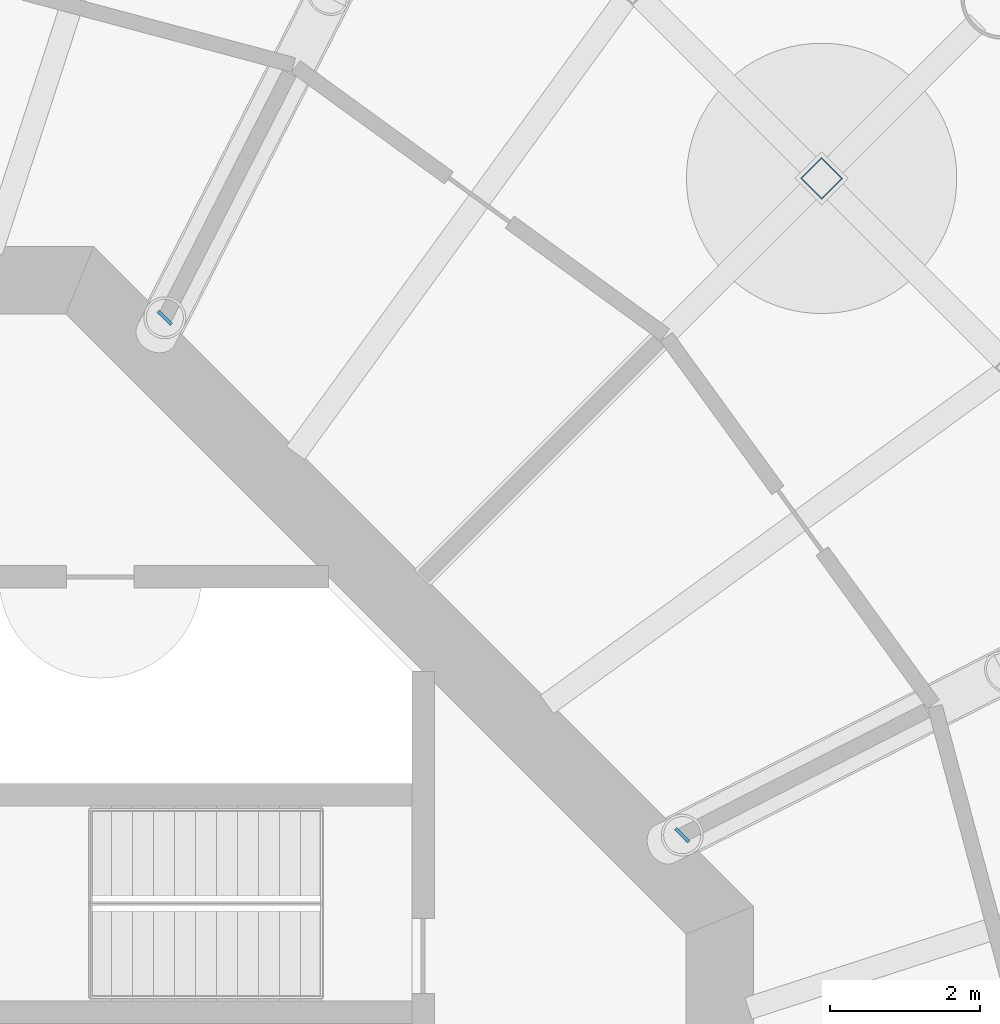
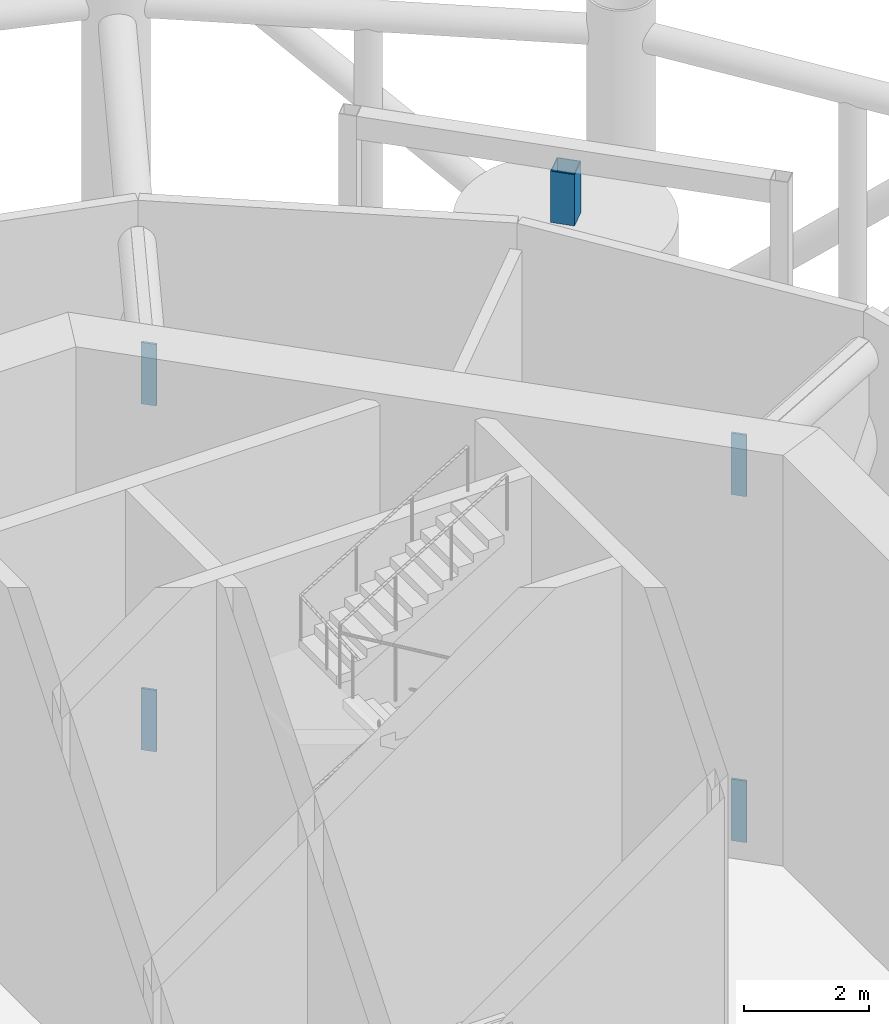
# One storey, part 18 of 22: 5 discrete accessories.
"""IFC4 building model written with IfcOpenShell, lengths in metres."""

from ifc_helpers import new_model, si_unit, direction, frame, origin, origin_2d, place, context, subcontext, project, spatial, rectangle, hollow_rectangle, extrude, material, element, save


model = new_model("IFC4")

# Units and contexts
model_context = context("Model", 3, precision=1e-05, world=origin(), true_north=direction((0.0, 1.0)))
body_context = subcontext(model_context, "Body", "Model", "MODEL_VIEW")
ifc_project = project(units=[si_unit("LENGTHUNIT", "METRE"), si_unit("AREAUNIT", "SQUARE_METRE"), si_unit("VOLUMEUNIT", "CUBIC_METRE"), si_unit("PLANEANGLEUNIT", "RADIAN"), si_unit("MASSUNIT", "GRAM", prefix="KILO")], contexts=[model_context])

# Site, building, storey
site_placement = place(None, origin())
site = spatial("IfcSite", under=ifc_project, at=site_placement, CompositionType="ELEMENT")
building_placement = place(site_placement, origin())
building = spatial("IfcBuilding", under=site, at=building_placement, Name="Entoto Ring Tower", CompositionType="ELEMENT")
storey_placement = place(building_placement, frame((0.0, 0.0, 230.0)))
storey = spatial("IfcBuildingStorey", under=building, at=storey_placement, Name="L53", CompositionType="ELEMENT", Elevation=230.0)

# Discrete accessories
ifc_material = material(Name="Steel S355", Category="steel")
for number, where, z_axis, x_axis, name in (
    (1, (104.052978515625, 87.160400390625, -0.294921875), (0.0, 0.0, 1.0), (0.707106781187, 0.707106781187, 0.0), "Embedded plate L53 bottom 01"),
    (2, (104.052978515625, 87.160400390625, 6.44482421875), (0.0, 0.0, 1.0), (0.707106781187, 0.707106781187, 0.0), "Embedded plate L53 top 01"),
    (3, (97.160400390625, 94.052978515625, -0.294921875), (0.0, 0.0, 1.0), (0.707106781187, 0.707106781187, 0.0), "Embedded plate L53 bottom 02"),
    (4, (97.160400390625, 94.052978515625, 6.44482421875), (0.0, 0.0, 1.0), (0.707106781187, 0.707106781187, 0.0), "Embedded plate L53 top 02"),
):
    element("IfcDiscreteAccessory", number, at=place(storey_placement, frame(where, z_axis=z_axis, x_axis=x_axis)), inside=storey, material=ifc_material, Name=name, PredefinedType="ANCHORPLATE", context=body_context, shape_type="SweptSolid", body=[
        extrude(rectangle(XDim=0.0400390625, YDim=0.25, at=origin_2d()), origin(), (0.0, 0.0, 1.0), 1.199951171875),
    ])
discrete_accessory_placement = place(storey_placement, frame((105.909912109375, 95.909912109375, 5.89990234375), z_axis=(0.0, 0.0, 1.0), x_axis=(-0.707106781187, 0.707106781187, 0.0)))
element("IfcDiscreteAccessory", 5, at=discrete_accessory_placement, inside=storey, material=ifc_material, Name="TURBINE BEARING 2", PredefinedType="BRACKET", context=body_context, shape_type="SweptSolid", body=[
    extrude(hollow_rectangle(XDim=0.39990234375, YDim=0.39990234375, WallThickness=0.01611328125, at=origin_2d()), origin(), (0.0, 0.0, 1.0), 1.0),
])

save(model, "model.ifc")
